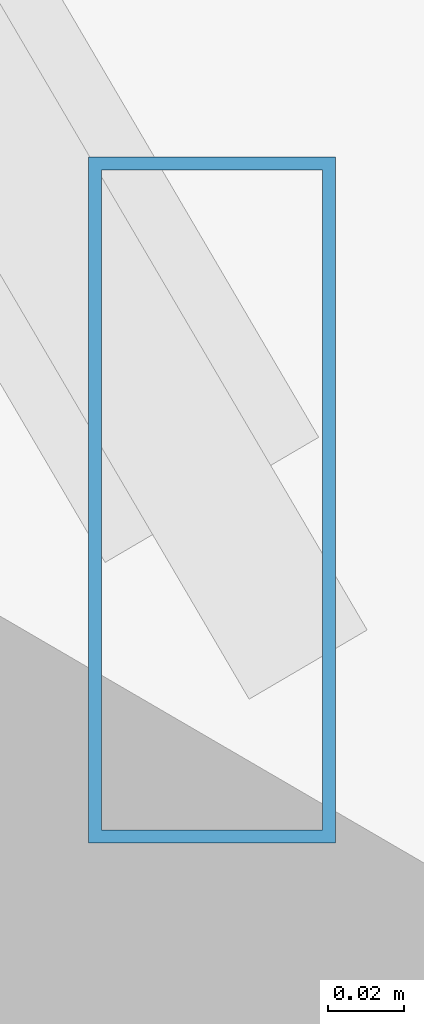
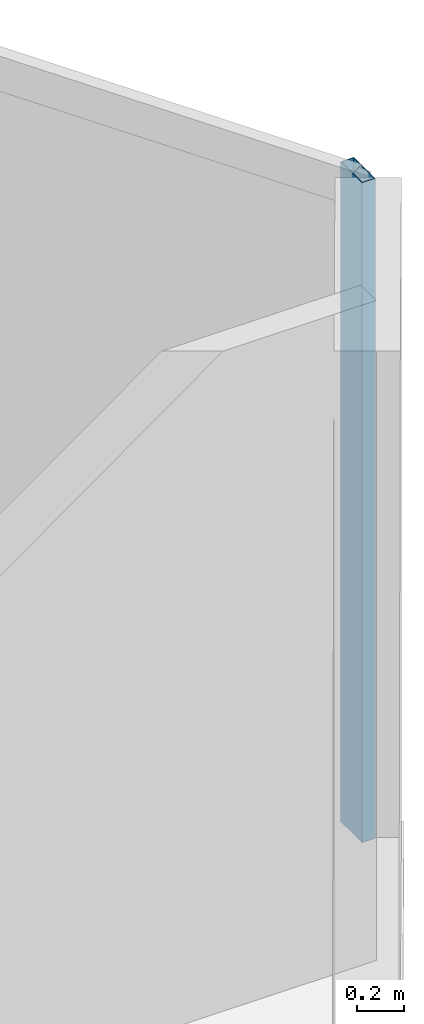
# One storey, part 20 of 37: 1 member, 1 element without a shape of its own.
"""IFC4 building model written with IfcOpenShell, lengths in metres."""

from ifc_helpers import new_model, si_unit, direction, frame, origin, origin_2d, place, context, subcontext, project, spatial, hollow_rectangle, extrude, source, transform, mapped, material, material_profile, profile_set, type_object, type_shapes, element, aggregate, save


model = new_model("IFC4")

# Units and contexts
model_context = context("Model", 3, precision=1e-05, world=origin(), true_north=direction((0.0, 1.0)))
body_context = subcontext(model_context, "Body", "Model", "MODEL_VIEW")
ifc_project = project(units=[si_unit("LENGTHUNIT", "METRE"), si_unit("AREAUNIT", "SQUARE_METRE"), si_unit("VOLUMEUNIT", "CUBIC_METRE"), si_unit("PLANEANGLEUNIT", "RADIAN"), si_unit("MASSUNIT", "GRAM", prefix="KILO")], contexts=[model_context])

# Site, building, storey
site_placement = place(None, origin())
site = spatial("IfcSite", under=ifc_project, at=site_placement, CompositionType="ELEMENT")
building_placement = place(site_placement, origin())
building = spatial("IfcBuilding", under=site, at=building_placement, Name="Caelisora Broadcast Tower", CompositionType="ELEMENT")
storey_placement = place(building_placement, frame((0.0, 0.0, 45.85009765625)))
storey = spatial("IfcBuildingStorey", under=building, at=storey_placement, Name="L11", CompositionType="ELEMENT", Elevation=45.85009765625)

# Curtain wall, member
ifc_material_1 = material(Name="Unitised Aluminium and Low-E Glass Curtain Wall", Category="glass")
curtain_wall_type = type_object("IfcCurtainWallType", Name="CW-Z1", PredefinedType="NOTDEFINED", material=ifc_material_1)
curtain_wall_placement = place(storey_placement, origin())
curtain_wall = element("IfcCurtainWall", 1, at=curtain_wall_placement, inside=storey, type_object=curtain_wall_type, Name="L11 curtain wall CW-Z1", PredefinedType="NOTDEFINED")
ifc_material_2 = material(Name="Aluminium 6063-T6 Anodised Terracotta Bronze", Category="aluminium")
ifc_material_profile = material_profile(ifc_material_2, hollow_rectangle(XDim=0.06494140625, YDim=0.179931640625, WallThickness=0.00341796875, at=origin_2d()), Name="Aluminium 6063-T6 Anodised Terracotta Bronze")
ifc_profile_set = profile_set([ifc_material_profile], Name="Aluminium 6063-T6 Anodised Terracotta Bronze")
member_type = type_object("IfcMemberType", Name="CWM-02", PredefinedType="MULLION", material=ifc_profile_set)
shared_shape = source(origin(), body_context, "Body", "SweptSolid", [
    extrude(hollow_rectangle(XDim=0.06494140625, YDim=0.179931640625, WallThickness=0.00341796875, at=origin_2d()), origin(), (0.0, 0.0, 1.0), 3.39990234375),
])
type_shapes(member_type, [shared_shape])
member_placement = place(storey_placement, frame((64.41064453125, 17.905029296875, 0.0), z_axis=(0.0, 0.0, 1.0), x_axis=(1.0, 0.0, 0.0)))
member = element("IfcMember", 2, at=member_placement, type_object=member_type, Name="L11-CW-B03 mullion #3", PredefinedType="MULLION", context=body_context, shape_type="MappedRepresentation", body=[
    mapped(shared_shape, transform((0.0, 0.0, 0.0), scale=1.0)),
])
aggregate(curtain_wall, [member])

save(model, "model.ifc")
